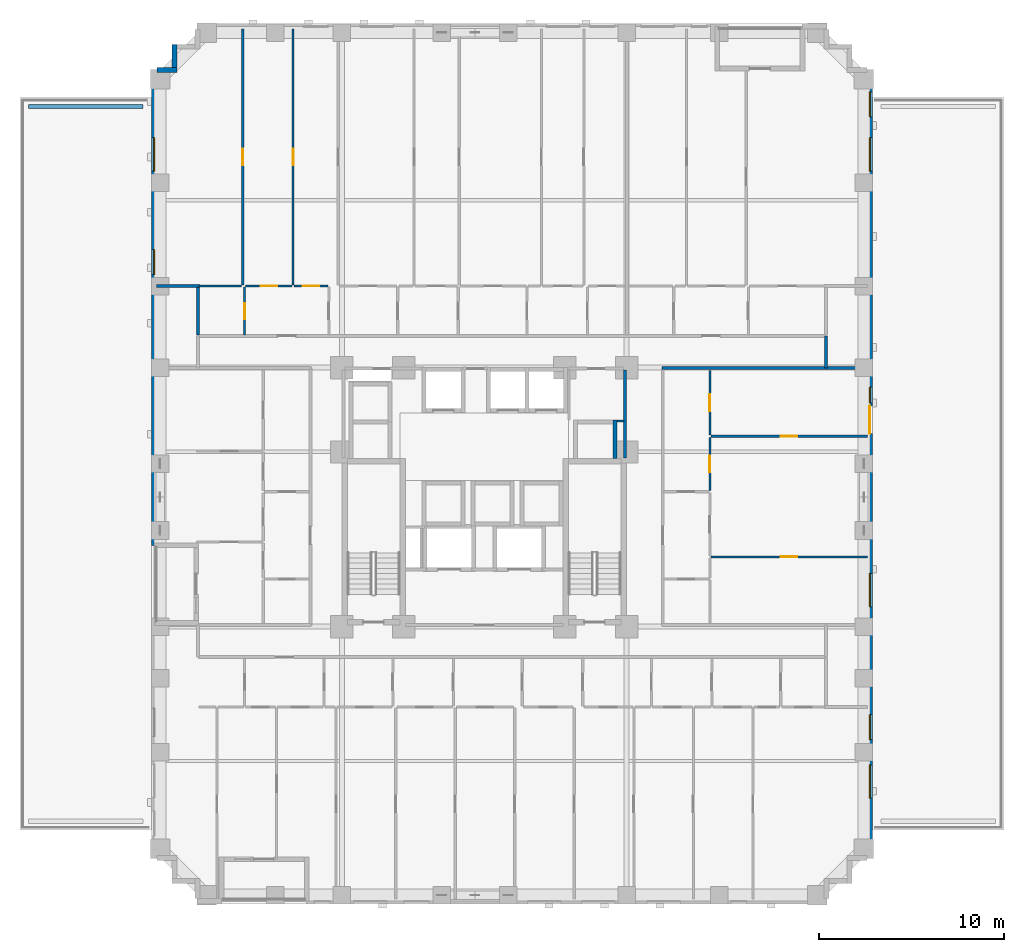
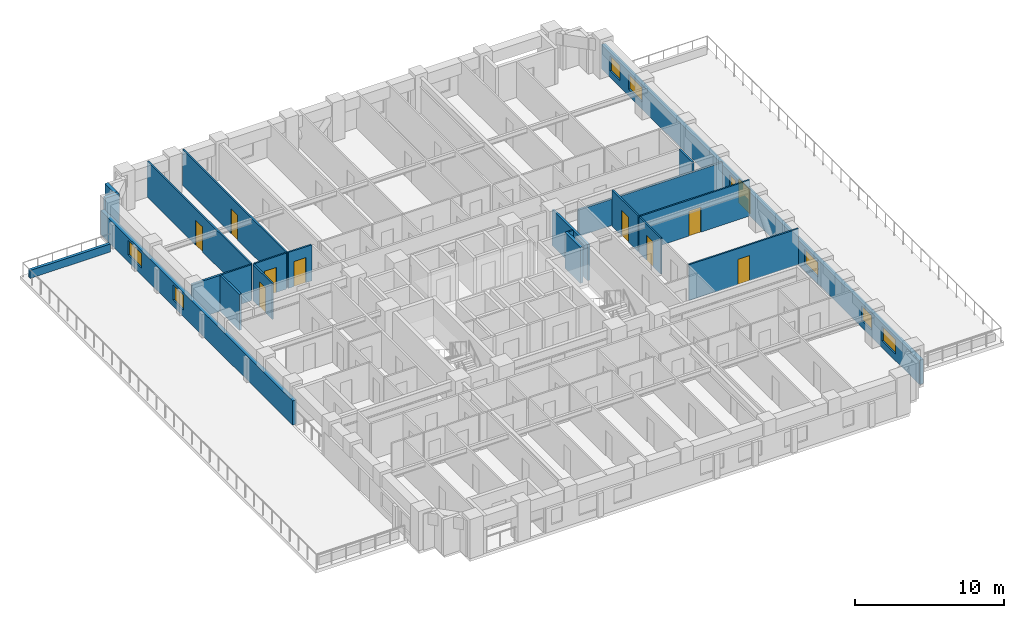
# One storey, part 7 of 14: 22 walls, 10 doors, 8 windows, 18 openings.
"""IFC4 building model written with IfcOpenShell, lengths in metres."""

import ifcopenshell
import ifcopenshell.guid

model = None  # the IFC model being written
_history = None  # IfcOwnerHistory: only IFC2X3 demands one
_inside = {}  # id of a spatial element -> (the spatial element, [elements in it])
_under = {}  # id of a project, library or spatial element -> (it, [spatial elements below it])
_declared = {}  # id of a project -> (the project, [libraries it declares])
_typed = {}  # id of a type object -> (the type object, [elements of that type])
_made_of = {}  # id of a material, layer set ... -> (it, [elements and type objects made of it])


def new_model(schema):
    """Start an empty IFC model of exactly this schema.

    Asked for "IFC4X3", IfcOpenShell would pick the latest addendum, in which some entities
    have other attributes; the version numbers below select the first issue.
    IFC2X3 requires an IfcOwnerHistory on every rooted entity: one is made here for all.
    """
    global model, _history
    if schema == "IFC4X3":
        model = ifcopenshell.file(schema_version=(4, 3, 0, 0))
    else:
        model = ifcopenshell.file(schema=schema)
    _inside.clear()
    _under.clear()
    _declared.clear()
    _typed.clear()
    _made_of.clear()
    _history = None
    if model.schema == "IFC2X3":
        org = make("IfcOrganization", Name="unknown")
        user = make(
            "IfcPersonAndOrganization",
            ThePerson=make("IfcPerson", FamilyName="unknown"),
            TheOrganization=org,
        )
        app = make(
            "IfcApplication",
            ApplicationDeveloper=org,
            Version="unknown",
            ApplicationFullName="unknown",
            ApplicationIdentifier="unknown",
        )
        _history = make(
            "IfcOwnerHistory",
            OwningUser=user,
            OwningApplication=app,
            ChangeAction="ADDED",
            CreationDate=0,
        )
    return model


def make(cls, **values):
    """One entity of the class cls with the attributes given. An attribute that is None is left unset."""
    return model.create_entity(
        cls, **{name: value for name, value in values.items() if value is not None}
    )


def rooted(cls, **values):
    """An entity with a GlobalId (a new one), such as an element, a storey or a relation."""
    return make(cls, GlobalId=ifcopenshell.guid.new(), OwnerHistory=_history, **values)


def si_unit(unit_type, name, prefix=None):
    """IfcSIUnit, for example si_unit("LENGTHUNIT", "METRE", prefix="MILLI")."""
    return make("IfcSIUnit", UnitType=unit_type, Prefix=prefix, Name=name)


def derived_unit(unit_type, elements):
    """IfcDerivedUnit: a product of units, each with its exponent."""
    return make(
        "IfcDerivedUnit",
        Elements=[
            make("IfcDerivedUnitElement", Unit=unit, Exponent=power)
            for unit, power in elements
        ],
        UnitType=unit_type,
    )


def assignment(units):
    """IfcUnitAssignment: the units of a project."""
    return None if units is None else make("IfcUnitAssignment", Units=units)


def point(xyz):
    """IfcCartesianPoint."""
    return None if xyz is None else make("IfcCartesianPoint", Coordinates=xyz)


def direction(xyz):
    """IfcDirection."""
    return None if xyz is None else make("IfcDirection", DirectionRatios=xyz)


def frame(location, z_axis=None, x_axis=None):
    """IfcAxis2Placement3D, a coordinate frame: its origin and axes. An axis left out is left unset."""
    return make(
        "IfcAxis2Placement3D",
        Location=point(location),
        Axis=direction(z_axis),
        RefDirection=direction(x_axis),
    )


def frame_2d(location, x_axis=None):
    """IfcAxis2Placement2D, a coordinate frame in the plane: its origin and x axis."""
    return make(
        "IfcAxis2Placement2D", Location=point(location), RefDirection=direction(x_axis)
    )


def origin():
    """The frame at (0, 0, 0) with its axes left unset."""
    return frame((0.0, 0.0, 0.0))


def place(relative_to, where):
    """IfcLocalPlacement: puts the frame where relative to a parent placement (None: the world)."""
    return make(
        "IfcLocalPlacement", PlacementRelTo=relative_to, RelativePlacement=where
    )


def context(
    kind, dimensions, precision=None, world=None, true_north=None, identifier=None
):
    """IfcGeometricRepresentationContext, for example the 3D "Model" context."""
    return make(
        "IfcGeometricRepresentationContext",
        ContextIdentifier=identifier,
        ContextType=kind,
        CoordinateSpaceDimension=dimensions,
        Precision=precision,
        WorldCoordinateSystem=world,
        TrueNorth=true_north,
    )


def subcontext(parent, identifier, kind, view, scale=None):
    """IfcGeometricRepresentationSubContext, for example "Body" below "Model"."""
    return make(
        "IfcGeometricRepresentationSubContext",
        ContextIdentifier=identifier,
        ContextType=kind,
        ParentContext=parent,
        TargetScale=scale,
        TargetView=view,
    )


def project(units=None, contexts=None):
    """IfcProject with its units and contexts."""
    return rooted(
        "IfcProject",
        Name="project",
        RepresentationContexts=contexts,
        UnitsInContext=assignment(units),
    )


def spatial(cls, under=None, at=None, **own):
    """A site, building, storey or space (cls), placed at a placement, below another one or the project."""
    s = rooted(cls, ObjectPlacement=at, **own)
    if under is not None:
        _under.setdefault(under.id(), (under, []))[1].append(s)
    return s


def profile(cls, at=None, kind="AREA", **sizes):
    """A parametric profile (cls). Its sizes go by their IFC names, for example OverallWidth=200.0."""
    return make(cls, ProfileType=kind, Position=at, **sizes)


def rectangle(**sizes):
    """IfcRectangleProfileDef."""
    return profile("IfcRectangleProfileDef", **sizes)


def extrude(swept, where, along, depth):
    """IfcExtrudedAreaSolid: the profile swept, set in the frame where, extruded along a direction by depth."""
    return make(
        "IfcExtrudedAreaSolid",
        SweptArea=swept,
        Position=where,
        ExtrudedDirection=direction(along),
        Depth=depth,
    )


def shape(context_of_items, identifier, shape_type, items):
    """IfcShapeRepresentation: the items that make up one representation, for example the "Body"."""
    return make(
        "IfcShapeRepresentation",
        ContextOfItems=context_of_items,
        RepresentationIdentifier=identifier,
        RepresentationType=shape_type,
        Items=items,
    )


def material(Name=None, Category=None):
    """IfcMaterial."""
    return make("IfcMaterial", Name=Name, Category=Category)


def layer(
    of_material, thickness, ventilated=None, Name=None, Category=None, Priority=None
):
    """IfcMaterialLayer: one layer of a wall or slab, of a material (None: an air gap)."""
    return make(
        "IfcMaterialLayer",
        Material=of_material,
        LayerThickness=thickness,
        IsVentilated=ventilated,
        Name=Name,
        Category=Category,
        Priority=Priority,
    )


def layer_set(layers, Name=None):
    """IfcMaterialLayerSet."""
    return make("IfcMaterialLayerSet", MaterialLayers=layers, LayerSetName=Name)


def made_of(thing, what):
    """Note that an element or type object is made of a material, layer set ...; save() writes the relation."""
    if what is not None:
        _made_of.setdefault(what.id(), (what, []))[1].append(thing)
    return thing


def type_object(cls, material=None, **own):
    """A type object (cls), such as IfcWallType, which elements share."""
    return made_of(rooted(cls, **own), material)


def element(
    cls,
    number,
    at=None,
    inside=None,
    cuts=None,
    type_object=None,
    material=None,
    context=None,
    identifier="Body",
    shape_type=None,
    held_by="IfcProductDefinitionShape",
    body=None,
    shapes=None,
    **own,
):
    """One element of the class cls, such as IfcWall. Its Tag is "e" and its number.

    at: its placement. inside: the storey or other place that contains it. cuts: it is an
    opening in that element (IfcRelVoidsElement). A single representation is given by context,
    identifier, shape_type and body (its items); several are given by shapes. held_by: the class
    of the entity that holds the representations. save() writes the other relations.
    """
    e = rooted(cls, Tag="e%d" % number, ObjectPlacement=at, **own)
    if body is not None:
        shapes = [shape(context, identifier, shape_type, body)]
    if shapes is not None:
        e.Representation = make(held_by, Representations=shapes)
    if inside is not None:
        _inside.setdefault(inside.id(), (inside, []))[1].append(e)
    if cuts is not None:
        rooted(
            "IfcRelVoidsElement", RelatingBuildingElement=cuts, RelatedOpeningElement=e
        )
    if type_object is not None:
        _typed.setdefault(type_object.id(), (type_object, []))[1].append(e)
    return made_of(e, material)


def fill(opening, filler):
    """IfcRelFillsElement: the door or window that sits in an opening."""
    return rooted(
        "IfcRelFillsElement",
        RelatingOpeningElement=opening,
        RelatedBuildingElement=filler,
    )


def aggregate(whole, parts):
    """IfcRelAggregates: a whole, such as a stair, and the parts it consists of."""
    return rooted("IfcRelAggregates", RelatingObject=whole, RelatedObjects=parts)


def save(model, path):
    """Write the relations noted so far, then the file.

    IfcRelAggregates (storeys below a building ...), IfcRelContainedInSpatialStructure (elements
    in a storey), IfcRelDefinesByType, IfcRelAssociatesMaterial and IfcRelDeclares: one each for
    every whole, place, type object, material and project.
    """
    for whole, parts in _under.values():
        aggregate(whole, parts)
    for where, things in _inside.values():
        rooted(
            "IfcRelContainedInSpatialStructure",
            RelatedElements=things,
            RelatingStructure=where,
        )
    for kind, things in _typed.values():
        rooted("IfcRelDefinesByType", RelatedObjects=things, RelatingType=kind)
    for what, things in _made_of.values():
        rooted("IfcRelAssociatesMaterial", RelatedObjects=things, RelatingMaterial=what)
    for by, libraries in _declared.values():
        rooted("IfcRelDeclares", RelatingContext=by, RelatedDefinitions=libraries)
    model.write(path)


model = new_model("IFC4")

# Units and contexts
model_context = context("Model", 3, precision=1e-05, world=origin(), true_north=direction((0.0, 1.0)))
body_context = subcontext(model_context, "Body", "Model", "MODEL_VIEW")
ifc_project = project(units=[si_unit("LENGTHUNIT", "METRE"), si_unit("AREAUNIT", "SQUARE_METRE"), si_unit("VOLUMEUNIT", "CUBIC_METRE"), si_unit("PLANEANGLEUNIT", "RADIAN"), si_unit("MASSUNIT", "GRAM", prefix="KILO"), derived_unit("THERMALTRANSMITTANCEUNIT", [(si_unit("MASSUNIT", "GRAM", prefix="KILO"), 1), (si_unit("TIMEUNIT", "SECOND"), -3), (si_unit("THERMODYNAMICTEMPERATUREUNIT", "KELVIN"), -1)])], contexts=[model_context])

# Site, building, storey
site_placement = place(None, origin())
site = spatial("IfcSite", under=ifc_project, at=site_placement, CompositionType="ELEMENT")
building_placement = place(site_placement, origin())
building = spatial("IfcBuilding", under=site, at=building_placement, Name="Korrvale Station Residences", CompositionType="ELEMENT")
storey_placement = place(building_placement, frame((0.0, 0.0, 25.800048828125)))
storey = spatial("IfcBuildingStorey", under=building, at=storey_placement, Name="L05", CompositionType="ELEMENT", Elevation=25.800048828125)

# Walls
ifc_material_1 = material(Name="Precast concrete C45/55", Category="concrete")
ifc_layer_1 = layer(ifc_material_1, 0.260009765625, Name="Precast concrete C45/55")
ifc_layer_set_1 = layer_set([ifc_layer_1], Name="Precast concrete C45/55")
wall_type_1 = type_object("IfcWallType", Name="WAL-EXT-LOG260", PredefinedType="SOLIDWALL", material=ifc_layer_set_1)
wall_1_placement = place(storey_placement, frame((7.802001953125, 45.10009765625, 0.0), z_axis=(0.0, 0.0, 1.0), x_axis=(1.0, 0.0, 0.0)))
element("IfcWall", 1, at=wall_1_placement, inside=storey, type_object=wall_type_1, Name="L05 Serrated Corner Precast Step NW-1", PredefinedType="SOLIDWALL", context=body_context, shape_type="SweptSolid", body=[
    extrude(rectangle(XDim=1.077880859375, YDim=0.260009765625, at=frame_2d((0.5390625, 0.0))), origin(), (0.0, 0.0, 1.0), 2.93994140625),
])
wall_2_placement = place(storey_placement, frame((8.75, 45.23193359375, 0.0), z_axis=(0.0, 0.0, 1.0), x_axis=(0.0, 1.0, 0.0)))
element("IfcWall", 2, at=wall_2_placement, inside=storey, type_object=wall_type_1, Name="L05 Serrated Corner Precast Step NW-2", PredefinedType="SOLIDWALL", context=body_context, shape_type="SweptSolid", body=[
    extrude(rectangle(XDim=1.248046875, YDim=0.260009765625, at=frame_2d((0.6240234375, 0.0))), origin(), (0.0, 0.0, 1.0), 2.93994140625),
])

# Wall, openings, door, windows
ifc_layer_2 = layer(ifc_material_1, 0.300048828125, Name="Precast concrete C45/55")
ifc_layer_set_2 = layer_set([ifc_layer_2], Name="Precast concrete C45/55")
wall_type_2 = type_object("IfcWallType", Name="WAL-EXT-PC300", PredefinedType="SOLIDWALL", material=ifc_layer_set_2)
wall_3_placement = place(storey_placement, frame((46.35009765625, 45.10009765625, 0.0), z_axis=(0.0, 0.0, 1.0), x_axis=(0.0, -1.0, 0.0)))
wall_3 = element("IfcWall", 3, at=wall_3_placement, inside=storey, type_object=wall_type_2, Name="L05 East Exterior Precast Wall 1", PredefinedType="SOLIDWALL", context=body_context, shape_type="SweptSolid", body=[
    extrude(rectangle(XDim=42.60009765625, YDim=0.300048828125, at=frame_2d((21.300048828125, 0.0))), origin(), (0.0, 0.0, 1.0), 1.988037109375),
])
opening_1_placement = place(wall_3_placement, frame((18.158935546875, 0.0, 0.0)))
opening_1 = element("IfcOpeningElement", 4, at=opening_1_placement, cuts=wall_3, Name="Opening TD-01", PredefinedType="OPENING", context=body_context, shape_type="SweptSolid", body=[
    extrude(rectangle(XDim=1.5, YDim=1.98193359375, at=frame_2d((0.75, 0.990966796875))), frame((0.0, 0.16015625, 0.0), z_axis=(0.0, -1.0, 0.0), x_axis=(1.0, 0.0, 0.0)), (0.0, 0.0, 1.0), 0.320068359375),
])
opening_2_placement = place(wall_3_placement, frame((37.574951171875, 0.0, 0.550048828125)))
opening_2 = element("IfcOpeningElement", 5, at=opening_2_placement, cuts=wall_3, Name="Opening W-09", PredefinedType="OPENING", context=body_context, shape_type="SweptSolid", body=[
    extrude(rectangle(XDim=1.800048828125, YDim=1.199951171875, at=frame_2d((0.89990234375, 0.60009765625))), frame((0.0, 0.16015625, 0.0), z_axis=(0.0, -1.0, 0.0), x_axis=(1.0, 0.0, 0.0)), (0.0, 0.0, 1.0), 0.320068359375),
])
opening_3_placement = place(wall_3_placement, frame((34.85009765625, 0.0, 0.550048828125)))
opening_3 = element("IfcOpeningElement", 6, at=opening_3_placement, cuts=wall_3, Name="Opening W-10", PredefinedType="OPENING", context=body_context, shape_type="SweptSolid", body=[
    extrude(rectangle(XDim=1.35009765625, YDim=1.199951171875, at=frame_2d((0.675048828125, 0.60009765625))), frame((0.0, 0.16015625, 0.0), z_axis=(0.0, -1.0, 0.0), x_axis=(1.0, 0.0, 0.0)), (0.0, 0.0, 1.0), 0.320068359375),
])
opening_4_placement = place(wall_3_placement, frame((3.6650390625, 0.0, 0.550048828125)))
opening_4 = element("IfcOpeningElement", 7, at=opening_4_placement, cuts=wall_3, Name="Opening W-09", PredefinedType="OPENING", context=body_context, shape_type="SweptSolid", body=[
    extrude(rectangle(XDim=1.800048828125, YDim=1.199951171875, at=frame_2d((0.89990234375, 0.60009765625))), frame((0.0, 0.16015625, 0.0), z_axis=(0.0, -1.0, 0.0), x_axis=(1.0, 0.0, 0.0)), (0.0, 0.0, 1.0), 0.320068359375),
])
opening_5_placement = place(wall_3_placement, frame((1.18505859375, 0.0, 0.550048828125)))
opening_5 = element("IfcOpeningElement", 8, at=opening_5_placement, cuts=wall_3, Name="Opening W-10", PredefinedType="OPENING", context=body_context, shape_type="SweptSolid", body=[
    extrude(rectangle(XDim=1.35009765625, YDim=1.199951171875, at=frame_2d((0.675048828125, 0.60009765625))), frame((0.0, 0.16015625, 0.0), z_axis=(0.0, -1.0, 0.0), x_axis=(1.0, 0.0, 0.0)), (0.0, 0.0, 1.0), 0.320068359375),
])
opening_6_placement = place(wall_3_placement, frame((27.22509765625, 0.0, 0.550048828125)))
opening_6 = element("IfcOpeningElement", 9, at=opening_6_placement, cuts=wall_3, Name="Opening W-09", PredefinedType="OPENING", context=body_context, shape_type="SweptSolid", body=[
    extrude(rectangle(XDim=1.800048828125, YDim=1.199951171875, at=frame_2d((0.89990234375, 0.60009765625))), frame((0.0, 0.16015625, 0.0), z_axis=(0.0, -1.0, 0.0), x_axis=(1.0, 0.0, 0.0)), (0.0, 0.0, 1.0), 0.320068359375),
])
opening_7_placement = place(wall_3_placement, frame((17.14892578125, 0.0, 0.550048828125)))
opening_7 = element("IfcOpeningElement", 10, at=opening_7_placement, cuts=wall_3, Name="Opening W-11", PredefinedType="OPENING", context=body_context, shape_type="SweptSolid", body=[
    extrude(rectangle(XDim=0.85009765625, YDim=1.199951171875, at=frame_2d((0.425048828125, 0.60009765625))), frame((0.0, 0.16015625, 0.0), z_axis=(0.0, -1.0, 0.0), x_axis=(1.0, 0.0, 0.0)), (0.0, 0.0, 1.0), 0.320068359375),
])
ifc_material_2 = material(Name="Exterior thermally broken aluminium glazed terrace double door", Category="aluminium")
door_type_1 = type_object("IfcDoorType", Name="DR-EXT-TER", OperationType="DOUBLE_SWING_LEFT", PredefinedType="DOOR", material=ifc_material_2)
door_1_placement = place(opening_1_placement, origin())
door_1 = element("IfcDoor", 11, at=door_1_placement, inside=storey, type_object=door_type_1, Name="L05 East Setback Terrace Door", OperationType="DOUBLE_SWING_LEFT", OverallHeight=1.98193359375, OverallWidth=1.5, PredefinedType="DOOR", context=body_context, shape_type="SweptSolid", body=[
    extrude(rectangle(XDim=1.5, YDim=1.98193359375, at=frame_2d((0.75, 0.990966796875))), frame((0.0, 0.02490234375, 0.0), z_axis=(0.0, -1.0, 0.0), x_axis=(1.0, 0.0, 0.0)), (0.0, 0.0, 1.0), 0.050048828125),
])
fill(opening_1, door_1)
ifc_material_3 = material(Name="Thermally broken aluminium frame with triple low-e glazing", Category="aluminium")
window_type_1 = type_object("IfcWindowType", Name="WIN-W09", PartitioningType="DOUBLE_PANEL_VERTICAL", PredefinedType="WINDOW", material=ifc_material_3)
window_1_placement = place(opening_2_placement, origin())
window_1 = element("IfcWindow", 12, at=window_1_placement, inside=storey, type_object=window_type_1, Name="L05 Punched Window 11", OverallHeight=1.199951171875, OverallWidth=1.800048828125, PartitioningType="DOUBLE_PANEL_VERTICAL", PredefinedType="WINDOW", context=body_context, shape_type="SweptSolid", body=[
    extrude(rectangle(XDim=1.800048828125, YDim=1.199951171875, at=frame_2d((0.89990234375, 0.60009765625))), frame((0.0, 0.030029296875, 0.0), z_axis=(0.0, -1.0, 0.0), x_axis=(1.0, 0.0, 0.0)), (0.0, 0.0, 1.0), 0.06005859375),
])
fill(opening_2, window_1)
window_2_placement = place(opening_4_placement, origin())
window_2 = element("IfcWindow", 13, at=window_2_placement, inside=storey, type_object=window_type_1, Name="L05 Punched Window 21", OverallHeight=1.199951171875, OverallWidth=1.800048828125, PartitioningType="DOUBLE_PANEL_VERTICAL", PredefinedType="WINDOW", context=body_context, shape_type="SweptSolid", body=[
    extrude(rectangle(XDim=1.800048828125, YDim=1.199951171875, at=frame_2d((0.89990234375, 0.60009765625))), frame((0.0, 0.030029296875, 0.0), z_axis=(0.0, -1.0, 0.0), x_axis=(1.0, 0.0, 0.0)), (0.0, 0.0, 1.0), 0.06005859375),
])
fill(opening_4, window_2)
window_3_placement = place(opening_6_placement, origin())
window_3 = element("IfcWindow", 14, at=window_3_placement, inside=storey, type_object=window_type_1, Name="L05 Punched Window 24", OverallHeight=1.199951171875, OverallWidth=1.800048828125, PartitioningType="DOUBLE_PANEL_VERTICAL", PredefinedType="WINDOW", context=body_context, shape_type="SweptSolid", body=[
    extrude(rectangle(XDim=1.800048828125, YDim=1.199951171875, at=frame_2d((0.89990234375, 0.60009765625))), frame((0.0, 0.030029296875, 0.0), z_axis=(0.0, -1.0, 0.0), x_axis=(1.0, 0.0, 0.0)), (0.0, 0.0, 1.0), 0.06005859375),
])
fill(opening_6, window_3)
window_type_2 = type_object("IfcWindowType", Name="WIN-W10", PartitioningType="SINGLE_PANEL", PredefinedType="WINDOW", material=ifc_material_3)
window_4_placement = place(opening_3_placement, origin())
window_4 = element("IfcWindow", 15, at=window_4_placement, inside=storey, type_object=window_type_2, Name="L05 Punched Window 12", OverallHeight=1.199951171875, OverallWidth=1.35009765625, PartitioningType="SINGLE_PANEL", PredefinedType="WINDOW", context=body_context, shape_type="SweptSolid", body=[
    extrude(rectangle(XDim=1.35009765625, YDim=1.199951171875, at=frame_2d((0.675048828125, 0.60009765625))), frame((0.0, 0.030029296875, 0.0), z_axis=(0.0, -1.0, 0.0), x_axis=(1.0, 0.0, 0.0)), (0.0, 0.0, 1.0), 0.06005859375),
])
fill(opening_3, window_4)
window_5_placement = place(opening_5_placement, origin())
window_5 = element("IfcWindow", 16, at=window_5_placement, inside=storey, type_object=window_type_2, Name="L05 Punched Window 22", OverallHeight=1.199951171875, OverallWidth=1.35009765625, PartitioningType="SINGLE_PANEL", PredefinedType="WINDOW", context=body_context, shape_type="SweptSolid", body=[
    extrude(rectangle(XDim=1.35009765625, YDim=1.199951171875, at=frame_2d((0.675048828125, 0.60009765625))), frame((0.0, 0.030029296875, 0.0), z_axis=(0.0, -1.0, 0.0), x_axis=(1.0, 0.0, 0.0)), (0.0, 0.0, 1.0), 0.06005859375),
])
fill(opening_5, window_5)
window_type_3 = type_object("IfcWindowType", Name="WIN-W11", PartitioningType="SINGLE_PANEL", PredefinedType="WINDOW", material=ifc_material_3)
window_6_placement = place(opening_7_placement, origin())
window_6 = element("IfcWindow", 17, at=window_6_placement, inside=storey, type_object=window_type_3, Name="L05 Punched Window 25", OverallHeight=1.199951171875, OverallWidth=0.85009765625, PartitioningType="SINGLE_PANEL", PredefinedType="WINDOW", context=body_context, shape_type="SweptSolid", body=[
    extrude(rectangle(XDim=0.85009765625, YDim=1.199951171875, at=frame_2d((0.425048828125, 0.60009765625))), frame((0.0, 0.030029296875, 0.0), z_axis=(0.0, -1.0, 0.0), x_axis=(1.0, 0.0, 0.0)), (0.0, 0.0, 1.0), 0.06005859375),
])
fill(opening_7, window_6)

# Wall, openings, windows
wall_4_placement = place(storey_placement, frame((7.64990234375, 19.39990234375, 0.0), z_axis=(0.0, 0.0, 1.0), x_axis=(0.0, 1.0, 0.0)))
wall_4 = element("IfcWall", 18, at=wall_4_placement, inside=storey, type_object=wall_type_2, Name="L05 West Exterior Precast Wall 2", PredefinedType="SOLIDWALL", context=body_context, shape_type="SweptSolid", body=[
    extrude(rectangle(XDim=25.7001953125, YDim=0.300048828125, at=frame_2d((12.85009765625, 0.0))), origin(), (0.0, 0.0, 1.0), 1.974853515625),
])
opening_8_placement = place(wall_4_placement, frame((20.235107421875, 0.0, 0.550048828125)))
opening_8 = element("IfcOpeningElement", 19, at=opening_8_placement, cuts=wall_4, Name="Opening W-09", PredefinedType="OPENING", context=body_context, shape_type="SweptSolid", body=[
    extrude(rectangle(XDim=1.800048828125, YDim=1.199951171875, at=frame_2d((0.89990234375, 0.60009765625))), frame((0.0, 0.16015625, 0.0), z_axis=(0.0, -1.0, 0.0), x_axis=(1.0, 0.0, 0.0)), (0.0, 0.0, 1.0), 0.320068359375),
])
opening_9_placement = place(wall_4_placement, frame((14.635009765625, 0.0, 0.550048828125)))
opening_9 = element("IfcOpeningElement", 20, at=opening_9_placement, cuts=wall_4, Name="Opening W-10", PredefinedType="OPENING", context=body_context, shape_type="SweptSolid", body=[
    extrude(rectangle(XDim=1.35009765625, YDim=1.199951171875, at=frame_2d((0.675048828125, 0.60009765625))), frame((0.0, 0.16015625, 0.0), z_axis=(0.0, -1.0, 0.0), x_axis=(1.0, 0.0, 0.0)), (0.0, 0.0, 1.0), 0.320068359375),
])
window_7_placement = place(opening_8_placement, origin())
window_7 = element("IfcWindow", 21, at=window_7_placement, inside=storey, type_object=window_type_1, Name="L05 Punched Window 13", OverallHeight=1.199951171875, OverallWidth=1.800048828125, PartitioningType="DOUBLE_PANEL_VERTICAL", PredefinedType="WINDOW", context=body_context, shape_type="SweptSolid", body=[
    extrude(rectangle(XDim=1.800048828125, YDim=1.199951171875, at=frame_2d((0.89990234375, 0.60009765625))), frame((0.0, 0.030029296875, 0.0), z_axis=(0.0, -1.0, 0.0), x_axis=(1.0, 0.0, 0.0)), (0.0, 0.0, 1.0), 0.06005859375),
])
fill(opening_8, window_7)
window_8_placement = place(opening_9_placement, origin())
window_8 = element("IfcWindow", 22, at=window_8_placement, inside=storey, type_object=window_type_2, Name="L05 Punched Window 14", OverallHeight=1.199951171875, OverallWidth=1.35009765625, PartitioningType="SINGLE_PANEL", PredefinedType="WINDOW", context=body_context, shape_type="SweptSolid", body=[
    extrude(rectangle(XDim=1.35009765625, YDim=1.199951171875, at=frame_2d((0.675048828125, 0.60009765625))), frame((0.0, 0.030029296875, 0.0), z_axis=(0.0, -1.0, 0.0), x_axis=(1.0, 0.0, 0.0)), (0.0, 0.0, 1.0), 0.06005859375),
])
fill(opening_9, window_8)

# Walls
ifc_layer_3 = layer(ifc_material_1, 0.219970703125, Name="Precast concrete C45/55")
ifc_layer_set_3 = layer_set([ifc_layer_3], Name="Precast concrete C45/55")
wall_type_3 = type_object("IfcWallType", Name="WAL-PAR-220", PredefinedType="PARAPET", material=ifc_layer_set_3)
wall_5_placement = place(storey_placement, frame((0.85009765625, 43.1201171875, 0.0), z_axis=(0.0, 0.0, 1.0), x_axis=(1.0, 0.0, 0.0)))
element("IfcWall", 23, at=wall_5_placement, inside=storey, type_object=wall_type_3, Name="L05 Terrace Planter Parapet TER-L05-W-N", PredefinedType="PARAPET", context=body_context, shape_type="SweptSolid", body=[
    extrude(rectangle(XDim=6.199951171875, YDim=0.219970703125, at=frame_2d((3.10009765625, 0.0))), origin(), (0.0, 0.0, 1.0), 0.64990234375),
])
ifc_material_4 = material(Name="Acoustic steel-stud gypsum board partition", Category="steel")
ifc_layer_4 = layer(ifc_material_4, 0.1201171875, Name="Acoustic steel-stud gypsum board partition")
ifc_layer_set_4 = layer_set([ifc_layer_4], Name="Acoustic steel-stud gypsum board partition")
wall_type_4 = type_object("IfcWallType", Name="WAL-PART-125", PredefinedType="PARTITIONING", material=ifc_layer_set_4)
wall_6_placement = place(storey_placement, frame((32.679931640625, 26.1201171875, 0.0), z_axis=(0.0, 0.0, 1.0), x_axis=(1.0, 0.0, 0.0)))
element("IfcWall", 24, at=wall_6_placement, inside=storey, type_object=wall_type_4, Name="L05 Core Partition CW-CS-S", PredefinedType="PARTITIONING", context=body_context, shape_type="SweptSolid", body=[
    extrude(rectangle(XDim=0.380126953125, YDim=0.1201171875, at=frame_2d((0.18994140625, 0.0))), origin(), (0.0, 0.0, 1.0), 2.93994140625),
])

# Wall, opening, door
wall_7_placement = place(storey_placement, frame((12.5400390625, 30.760009765625, 0.0), z_axis=(0.0, 0.0, 1.0), x_axis=(0.0, 1.0, 0.0)))
wall_7 = element("IfcWall", 25, at=wall_7_placement, inside=storey, type_object=wall_type_4, Name="L05 Suite Partition U02-V01", PredefinedType="PARTITIONING", context=body_context, shape_type="SweptSolid", body=[
    extrude(rectangle(XDim=2.60009765625, YDim=0.1201171875, at=frame_2d((1.300048828125, 0.0))), origin(), (0.0, 0.0, 1.0), 2.93994140625),
])
opening_10_placement = place(wall_7_placement, frame((0.8701171875, 0.0, 0.0)))
opening_10 = element("IfcOpeningElement", 26, at=opening_10_placement, cuts=wall_7, Name="Opening DB-860", PredefinedType="OPENING", context=body_context, shape_type="SweptSolid", body=[
    extrude(rectangle(XDim=0.860107421875, YDim=2.050048828125, at=frame_2d((0.43017578125, 1.02490234375))), frame((0.0, 0.070068359375, 0.0), z_axis=(0.0, -1.0, 0.0), x_axis=(1.0, 0.0, 0.0)), (0.0, 0.0, 1.0), 0.14013671875),
])
ifc_material_5 = material(Name="Moisture-resistant solid-core bathroom door", Category="timber")
door_type_2 = type_object("IfcDoorType", Name="DR-BATH-860", OperationType="NOTDEFINED", PredefinedType="DOOR", material=ifc_material_5)
door_2_placement = place(opening_10_placement, origin())
door_2 = element("IfcDoor", 27, at=door_2_placement, inside=storey, type_object=door_type_2, Name="L05 Apartment 2BR L05-U02 Bathroom Door", OperationType="SINGLE_SWING_LEFT", OverallHeight=2.050048828125, OverallWidth=0.860107421875, PredefinedType="DOOR", context=body_context, shape_type="SweptSolid", body=[
    extrude(rectangle(XDim=0.860107421875, YDim=2.050048828125, at=frame_2d((0.43017578125, 1.02490234375))), frame((0.0, 0.02490234375, 0.0), z_axis=(0.0, -1.0, 0.0), x_axis=(1.0, 0.0, 0.0)), (0.0, 0.0, 1.0), 0.050048828125),
])
fill(opening_10, door_2)

# Wall
wall_8_placement = place(storey_placement, frame((10.080078125, 33.419921875, 0.0), z_axis=(0.0, 0.0, 1.0), x_axis=(1.0, 0.0, 0.0)))
element("IfcWall", 28, at=wall_8_placement, inside=storey, type_object=wall_type_4, Name="L05 Suite Partition U02-H07", PredefinedType="PARTITIONING", context=body_context, shape_type="SweptSolid", body=[
    extrude(rectangle(XDim=2.2998046875, YDim=0.1201171875, at=frame_2d((1.14990234375, 0.0))), origin(), (0.0, 0.0, 1.0), 2.93994140625),
])

# Wall, opening, door
wall_9_placement = place(storey_placement, frame((12.60009765625, 33.419921875, 0.0), z_axis=(0.0, 0.0, 1.0), x_axis=(1.0, 0.0, 0.0)))
wall_9 = element("IfcWall", 29, at=wall_9_placement, inside=storey, type_object=wall_type_4, Name="L05 Suite Partition U02-H18", PredefinedType="PARTITIONING", context=body_context, shape_type="SweptSolid", body=[
    extrude(rectangle(XDim=2.5068359375, YDim=0.1201171875, at=frame_2d((1.25341796875, 0.0))), origin(), (0.0, 0.0, 1.0), 2.93994140625),
])
opening_11_placement = place(wall_9_placement, frame((0.802978515625, 0.0, 0.0)))
opening_11 = element("IfcOpeningElement", 30, at=opening_11_placement, cuts=wall_9, Name="Opening DI-900", PredefinedType="OPENING", context=body_context, shape_type="SweptSolid", body=[
    extrude(rectangle(XDim=0.89990234375, YDim=2.050048828125, at=frame_2d((0.449951171875, 1.02490234375))), frame((0.0, 0.070068359375, 0.0), z_axis=(0.0, -1.0, 0.0), x_axis=(1.0, 0.0, 0.0)), (0.0, 0.0, 1.0), 0.14013671875),
])
ifc_material_6 = material(Name="Painted solid-core timber interior room door", Category="wood")
door_type_3 = type_object("IfcDoorType", Name="DR-INT-900", OperationType="NOTDEFINED", PredefinedType="DOOR", material=ifc_material_6)
door_3_placement = place(opening_11_placement, origin())
door_3 = element("IfcDoor", 31, at=door_3_placement, inside=storey, type_object=door_type_3, Name="L05 Apartment 2BR L05-U02 Kitchen Door", OperationType="SINGLE_SWING_LEFT", OverallHeight=2.050048828125, OverallWidth=0.89990234375, PredefinedType="DOOR", context=body_context, shape_type="SweptSolid", body=[
    extrude(rectangle(XDim=0.89990234375, YDim=2.050048828125, at=frame_2d((0.449951171875, 1.02490234375))), frame((0.0, 0.02490234375, 0.0), z_axis=(0.0, -1.0, 0.0), x_axis=(1.0, 0.0, 0.0)), (0.0, 0.0, 1.0), 0.050048828125),
])
fill(opening_11, door_3)

wall_10_placement = place(storey_placement, frame((15.22705078125, 33.419921875, 0.0), z_axis=(0.0, 0.0, 1.0), x_axis=(1.0, 0.0, 0.0)))
wall_10 = element("IfcWall", 32, at=wall_10_placement, inside=storey, type_object=wall_type_4, Name="L05 Suite Partition U02-H19", PredefinedType="PARTITIONING", context=body_context, shape_type="SweptSolid", body=[
    extrude(rectangle(XDim=1.81298828125, YDim=0.1201171875, at=frame_2d((0.906494140625, 0.0))), origin(), (0.0, 0.0, 1.0), 2.93994140625),
])
opening_12_placement = place(wall_10_placement, frame((0.4560546875, 0.0, 0.0)))
opening_12 = element("IfcOpeningElement", 33, at=opening_12_placement, cuts=wall_10, Name="Opening DI-900", PredefinedType="OPENING", context=body_context, shape_type="SweptSolid", body=[
    extrude(rectangle(XDim=0.89990234375, YDim=2.050048828125, at=frame_2d((0.449951171875, 1.02490234375))), frame((0.0, 0.070068359375, 0.0), z_axis=(0.0, -1.0, 0.0), x_axis=(1.0, 0.0, 0.0)), (0.0, 0.0, 1.0), 0.14013671875),
])
door_4_placement = place(opening_12_placement, origin())
door_4 = element("IfcDoor", 34, at=door_4_placement, inside=storey, type_object=door_type_3, Name="L05 Apartment 2BR L05-U02 Kitchen Door", OperationType="SINGLE_SWING_RIGHT", OverallHeight=2.050048828125, OverallWidth=0.89990234375, PredefinedType="DOOR", context=body_context, shape_type="SweptSolid", body=[
    extrude(rectangle(XDim=0.89990234375, YDim=2.050048828125, at=frame_2d((0.449951171875, 1.02490234375))), frame((0.0, 0.02490234375, 0.0), z_axis=(0.0, -1.0, 0.0), x_axis=(1.0, 0.0, 0.0)), (0.0, 0.0, 1.0), 0.050048828125),
])
fill(opening_12, door_4)

wall_11_placement = place(storey_placement, frame((12.43994140625, 33.47998046875, 0.0), z_axis=(0.0, 0.0, 1.0), x_axis=(0.0, 1.0, 0.0)))
wall_11 = element("IfcWall", 35, at=wall_11_placement, inside=storey, type_object=wall_type_4, Name="L05 Suite Partition U02-V78", PredefinedType="PARTITIONING", context=body_context, shape_type="SweptSolid", body=[
    extrude(rectangle(XDim=13.840087890625, YDim=0.1201171875, at=frame_2d((6.919921875, 0.0))), origin(), (0.0, 0.0, 1.0), 2.93994140625),
])
opening_13_placement = place(wall_11_placement, frame((6.455078125, 0.0, 0.0)))
opening_13 = element("IfcOpeningElement", 36, at=opening_13_placement, cuts=wall_11, Name="Opening DI-900", PredefinedType="OPENING", context=body_context, shape_type="SweptSolid", body=[
    extrude(rectangle(XDim=0.89990234375, YDim=2.050048828125, at=frame_2d((0.449951171875, 1.02490234375))), frame((0.0, 0.070068359375, 0.0), z_axis=(0.0, -1.0, 0.0), x_axis=(1.0, 0.0, 0.0)), (0.0, 0.0, 1.0), 0.14013671875),
])
door_5_placement = place(opening_13_placement, origin())
door_5 = element("IfcDoor", 37, at=door_5_placement, inside=storey, type_object=door_type_3, Name="L05 Apartment 2BR L05-U02 Living and Dining Room Door", OperationType="SINGLE_SWING_RIGHT", OverallHeight=2.050048828125, OverallWidth=0.89990234375, PredefinedType="DOOR", context=body_context, shape_type="SweptSolid", body=[
    extrude(rectangle(XDim=0.89990234375, YDim=2.050048828125, at=frame_2d((0.449951171875, 1.02490234375))), frame((0.0, 0.02490234375, 0.0), z_axis=(0.0, -1.0, 0.0), x_axis=(1.0, 0.0, 0.0)), (0.0, 0.0, 1.0), 0.050048828125),
])
fill(opening_13, door_5)

wall_12_placement = place(storey_placement, frame((15.1669921875, 33.47998046875, 0.0), z_axis=(0.0, 0.0, 1.0), x_axis=(0.0, 1.0, 0.0)))
wall_12 = element("IfcWall", 38, at=wall_12_placement, inside=storey, type_object=wall_type_4, Name="L05 Suite Partition U02-V89", PredefinedType="PARTITIONING", context=body_context, shape_type="SweptSolid", body=[
    extrude(rectangle(XDim=13.840087890625, YDim=0.1201171875, at=frame_2d((6.919921875, 0.0))), origin(), (0.0, 0.0, 1.0), 2.93994140625),
])
opening_14_placement = place(wall_12_placement, frame((6.455078125, 0.0, 0.0)))
opening_14 = element("IfcOpeningElement", 39, at=opening_14_placement, cuts=wall_12, Name="Opening DI-900", PredefinedType="OPENING", context=body_context, shape_type="SweptSolid", body=[
    extrude(rectangle(XDim=0.89990234375, YDim=2.050048828125, at=frame_2d((0.449951171875, 1.02490234375))), frame((0.0, 0.070068359375, 0.0), z_axis=(0.0, -1.0, 0.0), x_axis=(1.0, 0.0, 0.0)), (0.0, 0.0, 1.0), 0.14013671875),
])
door_6_placement = place(opening_14_placement, origin())
door_6 = element("IfcDoor", 40, at=door_6_placement, inside=storey, type_object=door_type_3, Name="L05 Apartment 2BR L05-U02 Wardrobe Storage Room Door", OperationType="SINGLE_SWING_LEFT", OverallHeight=2.050048828125, OverallWidth=0.89990234375, PredefinedType="DOOR", context=body_context, shape_type="SweptSolid", body=[
    extrude(rectangle(XDim=0.89990234375, YDim=2.050048828125, at=frame_2d((0.449951171875, 1.02490234375))), frame((0.0, 0.02490234375, 0.0), z_axis=(0.0, -1.0, 0.0), x_axis=(1.0, 0.0, 0.0)), (0.0, 0.0, 1.0), 0.050048828125),
])
fill(opening_14, door_6)

wall_13_placement = place(storey_placement, frame((37.699951171875, 22.35009765625, 0.0), z_axis=(0.0, 0.0, 1.0), x_axis=(0.0, 1.0, 0.0)))
wall_13 = element("IfcWall", 41, at=wall_13_placement, inside=storey, type_object=wall_type_4, Name="L05 Suite Partition U05-V04", PredefinedType="PARTITIONING", context=body_context, shape_type="SweptSolid", body=[
    extrude(rectangle(XDim=2.890869140625, YDim=0.1201171875, at=frame_2d((1.4453125, 0.0))), origin(), (0.0, 0.0, 1.0), 2.93994140625),
])
opening_15_placement = place(wall_13_placement, frame((0.9951171875, 0.0, 0.0)))
opening_15 = element("IfcOpeningElement", 42, at=opening_15_placement, cuts=wall_13, Name="Opening DI-900", PredefinedType="OPENING", context=body_context, shape_type="SweptSolid", body=[
    extrude(rectangle(XDim=0.89990234375, YDim=2.050048828125, at=frame_2d((0.449951171875, 1.02490234375))), frame((0.0, 0.070068359375, 0.0), z_axis=(0.0, -1.0, 0.0), x_axis=(1.0, 0.0, 0.0)), (0.0, 0.0, 1.0), 0.14013671875),
])
door_7_placement = place(opening_15_placement, origin())
door_7 = element("IfcDoor", 43, at=door_7_placement, inside=storey, type_object=door_type_3, Name="L05 Apartment 2BR L05-U05 Wardrobe Storage Room Door", OperationType="SINGLE_SWING_RIGHT", OverallHeight=2.050048828125, OverallWidth=0.89990234375, PredefinedType="DOOR", context=body_context, shape_type="SweptSolid", body=[
    extrude(rectangle(XDim=0.89990234375, YDim=2.050048828125, at=frame_2d((0.449951171875, 1.02490234375))), frame((0.0, 0.02490234375, 0.0), z_axis=(0.0, -1.0, 0.0), x_axis=(1.0, 0.0, 0.0)), (0.0, 0.0, 1.0), 0.050048828125),
])
fill(opening_15, door_7)

wall_14_placement = place(storey_placement, frame((37.699951171875, 25.361083984375, 0.0), z_axis=(0.0, 0.0, 1.0), x_axis=(0.0, 1.0, 0.0)))
wall_14 = element("IfcWall", 44, at=wall_14_placement, inside=storey, type_object=wall_type_4, Name="L05 Suite Partition U05-V05", PredefinedType="PARTITIONING", context=body_context, shape_type="SweptSolid", body=[
    extrude(rectangle(XDim=3.4990234375, YDim=0.1201171875, at=frame_2d((1.74951171875, 0.0))), origin(), (0.0, 0.0, 1.0), 2.93994140625),
])
opening_16_placement = place(wall_14_placement, frame((1.299072265625, 0.0, 0.0)))
opening_16 = element("IfcOpeningElement", 45, at=opening_16_placement, cuts=wall_14, Name="Opening DI-900", PredefinedType="OPENING", context=body_context, shape_type="SweptSolid", body=[
    extrude(rectangle(XDim=0.89990234375, YDim=2.050048828125, at=frame_2d((0.449951171875, 1.02490234375))), frame((0.0, 0.070068359375, 0.0), z_axis=(0.0, -1.0, 0.0), x_axis=(1.0, 0.0, 0.0)), (0.0, 0.0, 1.0), 0.14013671875),
])
door_8_placement = place(opening_16_placement, origin())
door_8 = element("IfcDoor", 46, at=door_8_placement, inside=storey, type_object=door_type_3, Name="L05 Apartment 2BR L05-U05 Wardrobe Storage Room Door", OperationType="SINGLE_SWING_LEFT", OverallHeight=2.050048828125, OverallWidth=0.89990234375, PredefinedType="DOOR", context=body_context, shape_type="SweptSolid", body=[
    extrude(rectangle(XDim=0.89990234375, YDim=2.050048828125, at=frame_2d((0.449951171875, 1.02490234375))), frame((0.0, 0.02490234375, 0.0), z_axis=(0.0, -1.0, 0.0), x_axis=(1.0, 0.0, 0.0)), (0.0, 0.0, 1.0), 0.050048828125),
])
fill(opening_16, door_8)

wall_15_placement = place(storey_placement, frame((37.760009765625, 18.76904296875, 0.0), z_axis=(0.0, 0.0, 1.0), x_axis=(1.0, 0.0, 0.0)))
wall_15 = element("IfcWall", 47, at=wall_15_placement, inside=storey, type_object=wall_type_4, Name="L05 Suite Partition U05-H34", PredefinedType="PARTITIONING", context=body_context, shape_type="SweptSolid", body=[
    extrude(rectangle(XDim=8.4599609375, YDim=0.1201171875, at=frame_2d((4.22998046875, 0.0))), origin(), (0.0, 0.0, 1.0), 2.93994140625),
])
opening_17_placement = place(wall_15_placement, frame((3.764892578125, 0.0, 0.0)))
opening_17 = element("IfcOpeningElement", 48, at=opening_17_placement, cuts=wall_15, Name="Opening DI-900", PredefinedType="OPENING", context=body_context, shape_type="SweptSolid", body=[
    extrude(rectangle(XDim=0.89990234375, YDim=2.050048828125, at=frame_2d((0.449951171875, 1.02490234375))), frame((0.0, 0.070068359375, 0.0), z_axis=(0.0, -1.0, 0.0), x_axis=(1.0, 0.0, 0.0)), (0.0, 0.0, 1.0), 0.14013671875),
])
door_9_placement = place(opening_17_placement, origin())
door_9 = element("IfcDoor", 49, at=door_9_placement, inside=storey, type_object=door_type_3, Name="L05 Apartment 2BR L05-U05 Bedroom 1 Door", OperationType="SINGLE_SWING_RIGHT", OverallHeight=2.050048828125, OverallWidth=0.89990234375, PredefinedType="DOOR", context=body_context, shape_type="SweptSolid", body=[
    extrude(rectangle(XDim=0.89990234375, YDim=2.050048828125, at=frame_2d((0.449951171875, 1.02490234375))), frame((0.0, 0.02490234375, 0.0), z_axis=(0.0, -1.0, 0.0), x_axis=(1.0, 0.0, 0.0)), (0.0, 0.0, 1.0), 0.050048828125),
])
fill(opening_17, door_9)

wall_16_placement = place(storey_placement, frame((37.760009765625, 25.301025390625, 0.0), z_axis=(0.0, 0.0, 1.0), x_axis=(1.0, 0.0, 0.0)))
wall_16 = element("IfcWall", 50, at=wall_16_placement, inside=storey, type_object=wall_type_4, Name="L05 Suite Partition U05-H45", PredefinedType="PARTITIONING", context=body_context, shape_type="SweptSolid", body=[
    extrude(rectangle(XDim=8.4599609375, YDim=0.1201171875, at=frame_2d((4.22998046875, 0.0))), origin(), (0.0, 0.0, 1.0), 2.93994140625),
])
opening_18_placement = place(wall_16_placement, frame((3.764892578125, 0.0, 0.0)))
opening_18 = element("IfcOpeningElement", 51, at=opening_18_placement, cuts=wall_16, Name="Opening DI-900", PredefinedType="OPENING", context=body_context, shape_type="SweptSolid", body=[
    extrude(rectangle(XDim=0.89990234375, YDim=2.050048828125, at=frame_2d((0.449951171875, 1.02490234375))), frame((0.0, 0.070068359375, 0.0), z_axis=(0.0, -1.0, 0.0), x_axis=(1.0, 0.0, 0.0)), (0.0, 0.0, 1.0), 0.14013671875),
])
door_10_placement = place(opening_18_placement, origin())
door_10 = element("IfcDoor", 52, at=door_10_placement, inside=storey, type_object=door_type_3, Name="L05 Apartment 2BR L05-U05 Living and Dining Room Door", OperationType="SINGLE_SWING_LEFT", OverallHeight=2.050048828125, OverallWidth=0.89990234375, PredefinedType="DOOR", context=body_context, shape_type="SweptSolid", body=[
    extrude(rectangle(XDim=0.89990234375, YDim=2.050048828125, at=frame_2d((0.449951171875, 1.02490234375))), frame((0.0, 0.02490234375, 0.0), z_axis=(0.0, -1.0, 0.0), x_axis=(1.0, 0.0, 0.0)), (0.0, 0.0, 1.0), 0.050048828125),
])
fill(opening_18, door_10)

# Walls
ifc_material_7 = material(Name="Fire-rated twin-stud gypsum and mineral wool shaftwall assembly", Category="gypsum")
ifc_layer_5 = layer(ifc_material_7, 0.159912109375, Name="Fire-rated twin-stud gypsum and mineral wool shaftwall assembly")
ifc_layer_set_5 = layer_set([ifc_layer_5], Name="Fire-rated twin-stud gypsum and mineral wool shaftwall assembly")
wall_type_5 = type_object("IfcWallType", Name="WAL-PART-200", PredefinedType="PARTITIONING", material=ifc_layer_set_5)
wall_17_placement = place(storey_placement, frame((33.1201171875, 24.1201171875, 0.0), z_axis=(0.0, 0.0, 1.0), x_axis=(0.0, 1.0, 0.0)))
element("IfcWall", 53, at=wall_17_placement, inside=storey, type_object=wall_type_5, Name="L05 Core Partition CW-E-N", PredefinedType="PARTITIONING", context=body_context, shape_type="SweptSolid", body=[
    extrude(rectangle(XDim=4.759765625, YDim=0.159912109375, at=frame_2d((2.3798828125, 0.0))), origin(), (0.0, 0.0, 1.0), 2.93994140625),
])
wall_18_placement = place(storey_placement, frame((43.97998046875, 28.97998046875, 0.0), z_axis=(0.0, 0.0, 1.0), x_axis=(0.0, 1.0, 0.0)))
element("IfcWall", 54, at=wall_18_placement, inside=storey, type_object=wall_type_5, Name="L05 Corridor North East Cap", PredefinedType="PARTITIONING", context=body_context, shape_type="SweptSolid", body=[
    extrude(rectangle(XDim=1.739990234375, YDim=0.159912109375, at=frame_2d((0.8701171875, 0.0))), origin(), (0.0, 0.0, 1.0), 2.93994140625),
])
wall_19_placement = place(storey_placement, frame((35.110107421875, 28.97998046875, 0.0), z_axis=(0.0, 0.0, 1.0), x_axis=(1.0, 0.0, 0.0)))
element("IfcWall", 55, at=wall_19_placement, inside=storey, type_object=wall_type_5, Name="L05 East Wing North Corridor Wall", PredefinedType="PARTITIONING", context=body_context, shape_type="SweptSolid", body=[
    extrude(rectangle(XDim=11.10986328125, YDim=0.159912109375, at=frame_2d((5.554931640625, 0.0))), origin(), (0.0, 0.0, 1.0), 2.155029296875),
])
wall_20_placement = place(storey_placement, frame((7.780029296875, 33.419921875, 0.0), z_axis=(0.0, 0.0, 1.0), x_axis=(1.0, 0.0, 0.0)))
element("IfcWall", 56, at=wall_20_placement, inside=storey, type_object=wall_type_5, Name="L05 Corner Step Wall U02-L", PredefinedType="PARTITIONING", context=body_context, shape_type="SweptSolid", body=[
    extrude(rectangle(XDim=2.340087890625, YDim=0.159912109375, at=frame_2d((1.169921875, 0.0))), origin(), (0.0, 0.0, 1.0), 2.93994140625),
])
wall_21_placement = place(storey_placement, frame((10.02001953125, 30.760009765625, 0.0), z_axis=(0.0, 0.0, 1.0), x_axis=(0.0, 1.0, 0.0)))
element("IfcWall", 57, at=wall_21_placement, inside=storey, type_object=wall_type_5, Name="L05 Corner Step Cheek U02-L", PredefinedType="PARTITIONING", context=body_context, shape_type="SweptSolid", body=[
    extrude(rectangle(XDim=2.659912109375, YDim=0.159912109375, at=frame_2d((1.330078125, 0.0))), origin(), (0.0, 0.0, 1.0), 2.93994140625),
])
ifc_material_8 = material(Name="Concrete C70/85", Category="concrete")
ifc_layer_6 = layer(ifc_material_8, 0.219970703125, Name="Concrete C70/85")
ifc_layer_set_6 = layer_set([ifc_layer_6], Name="Concrete C70/85")
wall_type_6 = type_object("IfcWallType", Name="WAL-SHAFT-220-C70", PredefinedType="SHEAR", material=ifc_layer_set_6)
wall_22_placement = place(storey_placement, frame((32.56005859375, 24.10009765625, 0.0), z_axis=(0.0, 0.0, 1.0), x_axis=(0.0, 1.0, 0.0)))
element("IfcWall", 58, at=wall_22_placement, inside=storey, type_object=wall_type_6, Name="L05 Elevator PH-3 Hoistway Wall East", PredefinedType="SHEAR", context=body_context, shape_type="SweptSolid", body=[
    extrude(rectangle(XDim=2.06982421875, YDim=0.219970703125, at=frame_2d((1.034912109375, 0.0))), origin(), (0.0, 0.0, 1.0), 2.93994140625),
])

save(model, "model.ifc")
